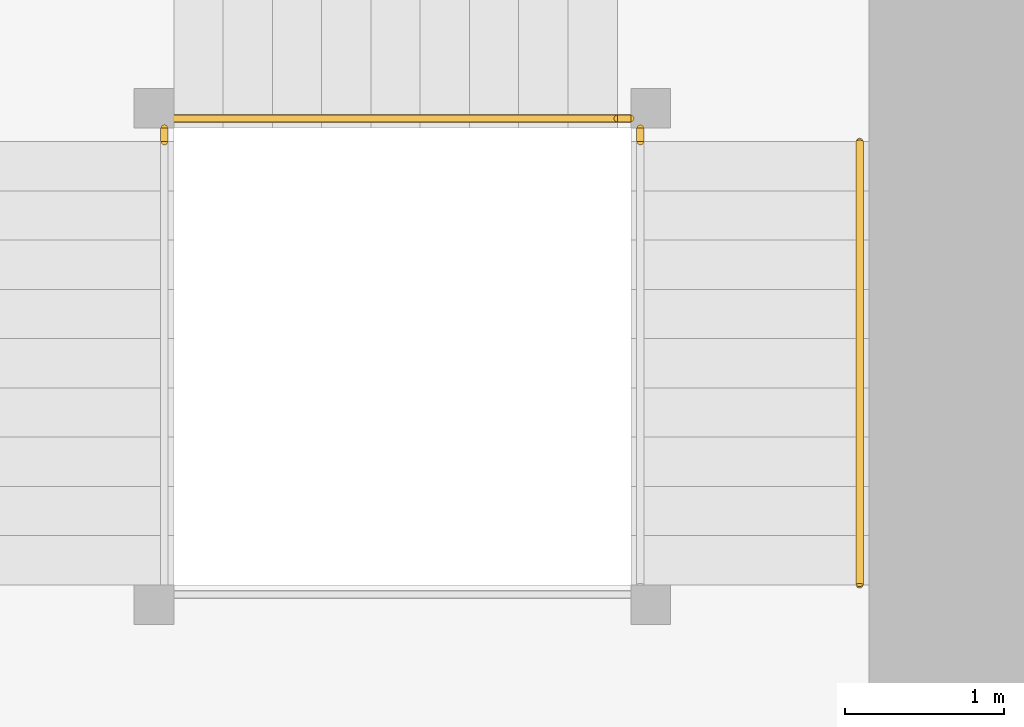
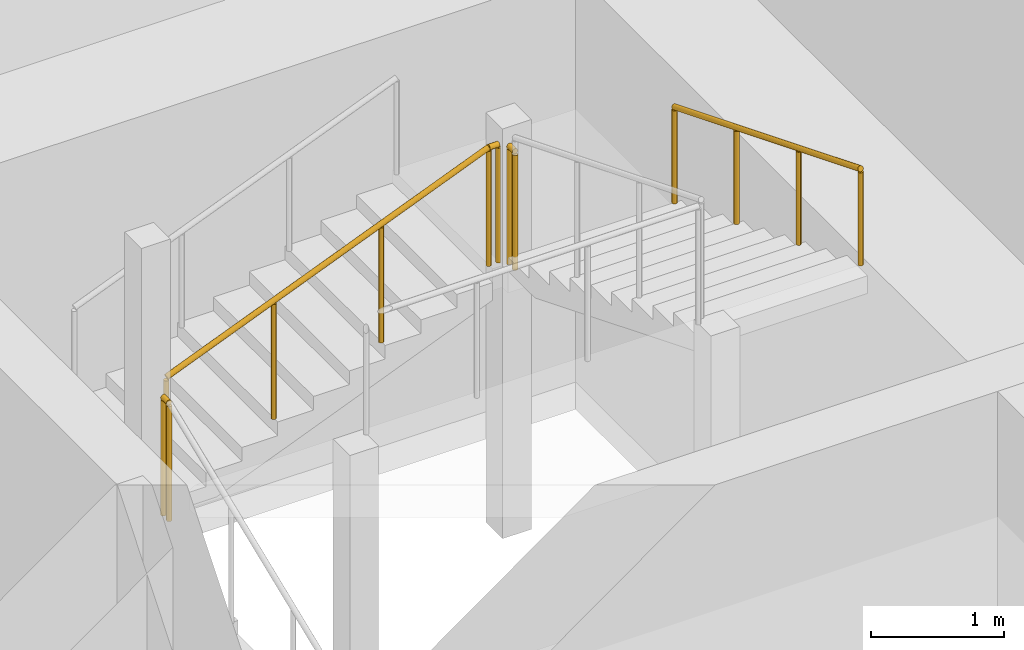
# One storey, part 39 of 40: 5 railings.
"""IFC4 building model written with IfcOpenShell, lengths in metres."""

import ifcopenshell
import ifcopenshell.guid

model = None  # the IFC model being written
_history = None  # IfcOwnerHistory: only IFC2X3 demands one
_inside = {}  # id of a spatial element -> (the spatial element, [elements in it])
_under = {}  # id of a project, library or spatial element -> (it, [spatial elements below it])
_declared = {}  # id of a project -> (the project, [libraries it declares])
_typed = {}  # id of a type object -> (the type object, [elements of that type])
_made_of = {}  # id of a material, layer set ... -> (it, [elements and type objects made of it])


def new_model(schema):
    """Start an empty IFC model of exactly this schema.

    Asked for "IFC4X3", IfcOpenShell would pick the latest addendum, in which some entities
    have other attributes; the version numbers below select the first issue.
    IFC2X3 requires an IfcOwnerHistory on every rooted entity: one is made here for all.
    """
    global model, _history
    if schema == "IFC4X3":
        model = ifcopenshell.file(schema_version=(4, 3, 0, 0))
    else:
        model = ifcopenshell.file(schema=schema)
    _inside.clear()
    _under.clear()
    _declared.clear()
    _typed.clear()
    _made_of.clear()
    _history = None
    if model.schema == "IFC2X3":
        org = make("IfcOrganization", Name="unknown")
        user = make(
            "IfcPersonAndOrganization",
            ThePerson=make("IfcPerson", FamilyName="unknown"),
            TheOrganization=org,
        )
        app = make(
            "IfcApplication",
            ApplicationDeveloper=org,
            Version="unknown",
            ApplicationFullName="unknown",
            ApplicationIdentifier="unknown",
        )
        _history = make(
            "IfcOwnerHistory",
            OwningUser=user,
            OwningApplication=app,
            ChangeAction="ADDED",
            CreationDate=0,
        )
    return model


def make(cls, **values):
    """One entity of the class cls with the attributes given. An attribute that is None is left unset."""
    return model.create_entity(
        cls, **{name: value for name, value in values.items() if value is not None}
    )


def rooted(cls, **values):
    """An entity with a GlobalId (a new one), such as an element, a storey or a relation."""
    return make(cls, GlobalId=ifcopenshell.guid.new(), OwnerHistory=_history, **values)


def si_unit(unit_type, name, prefix=None):
    """IfcSIUnit, for example si_unit("LENGTHUNIT", "METRE", prefix="MILLI")."""
    return make("IfcSIUnit", UnitType=unit_type, Prefix=prefix, Name=name)


def assignment(units):
    """IfcUnitAssignment: the units of a project."""
    return None if units is None else make("IfcUnitAssignment", Units=units)


def point(xyz):
    """IfcCartesianPoint."""
    return None if xyz is None else make("IfcCartesianPoint", Coordinates=xyz)


def direction(xyz):
    """IfcDirection."""
    return None if xyz is None else make("IfcDirection", DirectionRatios=xyz)


def frame(location, z_axis=None, x_axis=None):
    """IfcAxis2Placement3D, a coordinate frame: its origin and axes. An axis left out is left unset."""
    return make(
        "IfcAxis2Placement3D",
        Location=point(location),
        Axis=direction(z_axis),
        RefDirection=direction(x_axis),
    )


def frame_2d(location, x_axis=None):
    """IfcAxis2Placement2D, a coordinate frame in the plane: its origin and x axis."""
    return make(
        "IfcAxis2Placement2D", Location=point(location), RefDirection=direction(x_axis)
    )


def origin():
    """The frame at (0, 0, 0) with its axes left unset."""
    return frame((0.0, 0.0, 0.0))


def origin_2d():
    """The frame at (0, 0) in the plane with its x axis left unset."""
    return frame_2d((0.0, 0.0))


def place(relative_to, where):
    """IfcLocalPlacement: puts the frame where relative to a parent placement (None: the world)."""
    return make(
        "IfcLocalPlacement", PlacementRelTo=relative_to, RelativePlacement=where
    )


def context(
    kind, dimensions, precision=None, world=None, true_north=None, identifier=None
):
    """IfcGeometricRepresentationContext, for example the 3D "Model" context."""
    return make(
        "IfcGeometricRepresentationContext",
        ContextIdentifier=identifier,
        ContextType=kind,
        CoordinateSpaceDimension=dimensions,
        Precision=precision,
        WorldCoordinateSystem=world,
        TrueNorth=true_north,
    )


def subcontext(parent, identifier, kind, view, scale=None):
    """IfcGeometricRepresentationSubContext, for example "Body" below "Model"."""
    return make(
        "IfcGeometricRepresentationSubContext",
        ContextIdentifier=identifier,
        ContextType=kind,
        ParentContext=parent,
        TargetScale=scale,
        TargetView=view,
    )


def project(units=None, contexts=None):
    """IfcProject with its units and contexts."""
    return rooted(
        "IfcProject",
        Name="project",
        RepresentationContexts=contexts,
        UnitsInContext=assignment(units),
    )


def spatial(cls, under=None, at=None, **own):
    """A site, building, storey or space (cls), placed at a placement, below another one or the project."""
    s = rooted(cls, ObjectPlacement=at, **own)
    if under is not None:
        _under.setdefault(under.id(), (under, []))[1].append(s)
    return s


def profile(cls, at=None, kind="AREA", **sizes):
    """A parametric profile (cls). Its sizes go by their IFC names, for example OverallWidth=200.0."""
    return make(cls, ProfileType=kind, Position=at, **sizes)


def circle(**sizes):
    """IfcCircleProfileDef."""
    return profile("IfcCircleProfileDef", **sizes)


def extrude(swept, where, along, depth):
    """IfcExtrudedAreaSolid: the profile swept, set in the frame where, extruded along a direction by depth."""
    return make(
        "IfcExtrudedAreaSolid",
        SweptArea=swept,
        Position=where,
        ExtrudedDirection=direction(along),
        Depth=depth,
    )


def shape(context_of_items, identifier, shape_type, items):
    """IfcShapeRepresentation: the items that make up one representation, for example the "Body"."""
    return make(
        "IfcShapeRepresentation",
        ContextOfItems=context_of_items,
        RepresentationIdentifier=identifier,
        RepresentationType=shape_type,
        Items=items,
    )


def material(Name=None, Category=None):
    """IfcMaterial."""
    return make("IfcMaterial", Name=Name, Category=Category)


def made_of(thing, what):
    """Note that an element or type object is made of a material, layer set ...; save() writes the relation."""
    if what is not None:
        _made_of.setdefault(what.id(), (what, []))[1].append(thing)
    return thing


def type_object(cls, material=None, **own):
    """A type object (cls), such as IfcWallType, which elements share."""
    return made_of(rooted(cls, **own), material)


def element(
    cls,
    number,
    at=None,
    inside=None,
    cuts=None,
    type_object=None,
    material=None,
    context=None,
    identifier="Body",
    shape_type=None,
    held_by="IfcProductDefinitionShape",
    body=None,
    shapes=None,
    **own,
):
    """One element of the class cls, such as IfcWall. Its Tag is "e" and its number.

    at: its placement. inside: the storey or other place that contains it. cuts: it is an
    opening in that element (IfcRelVoidsElement). A single representation is given by context,
    identifier, shape_type and body (its items); several are given by shapes. held_by: the class
    of the entity that holds the representations. save() writes the other relations.
    """
    e = rooted(cls, Tag="e%d" % number, ObjectPlacement=at, **own)
    if body is not None:
        shapes = [shape(context, identifier, shape_type, body)]
    if shapes is not None:
        e.Representation = make(held_by, Representations=shapes)
    if inside is not None:
        _inside.setdefault(inside.id(), (inside, []))[1].append(e)
    if cuts is not None:
        rooted(
            "IfcRelVoidsElement", RelatingBuildingElement=cuts, RelatedOpeningElement=e
        )
    if type_object is not None:
        _typed.setdefault(type_object.id(), (type_object, []))[1].append(e)
    return made_of(e, material)


def aggregate(whole, parts):
    """IfcRelAggregates: a whole, such as a stair, and the parts it consists of."""
    return rooted("IfcRelAggregates", RelatingObject=whole, RelatedObjects=parts)


def save(model, path):
    """Write the relations noted so far, then the file.

    IfcRelAggregates (storeys below a building ...), IfcRelContainedInSpatialStructure (elements
    in a storey), IfcRelDefinesByType, IfcRelAssociatesMaterial and IfcRelDeclares: one each for
    every whole, place, type object, material and project.
    """
    for whole, parts in _under.values():
        aggregate(whole, parts)
    for where, things in _inside.values():
        rooted(
            "IfcRelContainedInSpatialStructure",
            RelatedElements=things,
            RelatingStructure=where,
        )
    for kind, things in _typed.values():
        rooted("IfcRelDefinesByType", RelatedObjects=things, RelatingType=kind)
    for what, things in _made_of.values():
        rooted("IfcRelAssociatesMaterial", RelatedObjects=things, RelatingMaterial=what)
    for by, libraries in _declared.values():
        rooted("IfcRelDeclares", RelatingContext=by, RelatedDefinitions=libraries)
    model.write(path)


model = new_model("IFC4")

# Units and contexts
model_context = context("Model", 3, precision=1e-05, world=origin(), true_north=direction((0.0, 1.0)))
body_context = subcontext(model_context, "Body", "Model", "MODEL_VIEW")
ifc_project = project(units=[si_unit("LENGTHUNIT", "METRE"), si_unit("AREAUNIT", "SQUARE_METRE"), si_unit("VOLUMEUNIT", "CUBIC_METRE"), si_unit("PLANEANGLEUNIT", "RADIAN"), si_unit("MASSUNIT", "GRAM", prefix="KILO")], contexts=[model_context])

# Site, building, storey
site_placement = place(None, origin())
site = spatial("IfcSite", under=ifc_project, at=site_placement, CompositionType="ELEMENT")
building_placement = place(site_placement, origin())
building = spatial("IfcBuilding", under=site, at=building_placement, Name="Rekha Terrace Tower", CompositionType="ELEMENT")
storey_placement = place(building_placement, frame((0.0, 0.0, 102.800048828125)))
storey = spatial("IfcBuildingStorey", under=building, at=storey_placement, Name="L25", CompositionType="ELEMENT", Elevation=102.800048828125)

# Railings
ifc_material_1 = material(Name="Stainless steel balustrade", Category="steel")
railing_type_1 = type_object("IfcRailingType", Name="GR1 1100 stair guard", PredefinedType="GUARDRAIL", material=ifc_material_1)
railing_1_placement = place(storey_placement, frame((45.52490234375, 44.260009765625, 1.375)))
element("IfcRailing", 1, at=railing_1_placement, inside=storey, type_object=railing_type_1, Name="Guard ST2 L25 flight 2", PredefinedType="GUARDRAIL", context=body_context, shape_type="SweptSolid", body=[
    extrude(circle(Radius=0.02392578125, at=origin_2d()), frame((0.0, 0.0, 1.076171875), z_axis=(0.927443287984, 0.0, 0.373963831907), x_axis=(0.0, 1.0, 0.0)), (0.0, 0.0, 1.0), 3.00830078125),
    extrude(circle(Radius=0.02099609375, at=origin_2d()), origin(), (0.0, 0.0, 1.0), 1.052001953125),
    extrude(circle(Radius=0.02099609375, at=origin_2d()), frame((0.929931640625, 0.0, 0.375)), (0.0, 0.0, 1.0), 1.052001953125),
    extrude(circle(Radius=0.02099609375, at=origin_2d()), frame((1.860107421875, 0.0, 0.75)), (0.0, 0.0, 1.0), 1.052001953125),
    extrude(circle(Radius=0.02099609375, at=origin_2d()), frame((2.7900390625, 0.0, 1.125)), (0.0, 0.0, 1.0), 1.052001953125),
])
railing_2_placement = place(storey_placement, frame((45.465087890625, 44.114990234375, 1.25)))
element("IfcRailing", 2, at=railing_2_placement, inside=storey, type_object=railing_type_1, Name="Guard ST2 L25 landing 1", PredefinedType="GUARDRAIL", context=body_context, shape_type="SweptSolid", body=[
    extrude(circle(Radius=0.02392578125, at=origin_2d()), frame((0.0, 0.0, 1.076171875), z_axis=(0.0, 1.0, 0.0), x_axis=(-1.0, 0.0, 0.0)), (0.0, 0.0, 1.0), 0.0849609375),
    extrude(circle(Radius=0.02099609375, at=origin_2d()), origin(), (0.0, 0.0, 1.0), 1.052001953125),
    extrude(circle(Radius=0.02099609375, at=origin_2d()), frame((0.0, 0.0849609375, 0.0)), (0.0, 0.0, 1.0), 1.052001953125),
])
railing_3_placement = place(storey_placement, frame((48.31494140625, 44.260009765625, 2.5)))
element("IfcRailing", 3, at=railing_3_placement, inside=storey, type_object=railing_type_1, Name="Guard ST2 L25 landing 2", PredefinedType="GUARDRAIL", context=body_context, shape_type="SweptSolid", body=[
    extrude(circle(Radius=0.02392578125, at=origin_2d()), frame((0.0, 0.0, 1.076171875), z_axis=(1.0, 0.0, 0.0), x_axis=(0.0, 1.0, 0.0)), (0.0, 0.0, 1.0), 0.0849609375),
    extrude(circle(Radius=0.02099609375, at=origin_2d()), origin(), (0.0, 0.0, 1.0), 1.052001953125),
    extrude(circle(Radius=0.02099609375, at=origin_2d()), frame((0.0849609375, 0.0, 0.0)), (0.0, 0.0, 1.0), 1.052001953125),
])
railing_4_placement = place(storey_placement, frame((48.4599609375, 44.114990234375, 2.5)))
element("IfcRailing", 4, at=railing_4_placement, inside=storey, type_object=railing_type_1, Name="Guard ST2 L25 landing 3", PredefinedType="GUARDRAIL", context=body_context, shape_type="SweptSolid", body=[
    extrude(circle(Radius=0.02392578125, at=origin_2d()), frame((0.0, 0.0, 1.076171875), z_axis=(0.0, 1.0, 0.0), x_axis=(-1.0, 0.0, 0.0)), (0.0, 0.0, 1.0), 0.0849609375),
    extrude(circle(Radius=0.02099609375, at=origin_2d()), origin(), (0.0, 0.0, 1.0), 1.052001953125),
    extrude(circle(Radius=0.02099609375, at=origin_2d()), frame((0.0, 0.0849609375, 0.0)), (0.0, 0.0, 1.0), 1.052001953125),
])
ifc_material_2 = material(Name="Stainless steel tube", Category="steel")
railing_type_2 = type_object("IfcRailingType", Name="HR1 900 stair handrail", PredefinedType="HANDRAIL", material=ifc_material_2)
railing_5_placement = place(storey_placement, frame((49.840087890625, 44.114990234375, 2.625)))
element("IfcRailing", 5, at=railing_5_placement, inside=storey, type_object=railing_type_2, Name="Handrail ST2 L25 flight 3", PredefinedType="HANDRAIL", context=body_context, shape_type="SweptSolid", body=[
    extrude(circle(Radius=0.02392578125, at=origin_2d()), frame((0.0, 0.0, 0.8759765625), z_axis=(0.0, -0.927443287984, 0.373963831907), x_axis=(1.0, 0.0, 0.0)), (0.0, 0.0, 1.0), 3.00830078125),
    extrude(circle(Radius=0.02099609375, at=origin_2d()), origin(), (0.0, 0.0, 1.0), 0.851806640625),
    extrude(circle(Radius=0.02099609375, at=origin_2d()), frame((0.0, -0.929931640625, 0.375)), (0.0, 0.0, 1.0), 0.851806640625),
    extrude(circle(Radius=0.02099609375, at=origin_2d()), frame((0.0, -1.860107421875, 0.75)), (0.0, 0.0, 1.0), 0.851806640625),
    extrude(circle(Radius=0.02099609375, at=origin_2d()), frame((0.0, -2.7900390625, 1.125)), (0.0, 0.0, 1.0), 0.851806640625),
])

save(model, "model.ifc")
